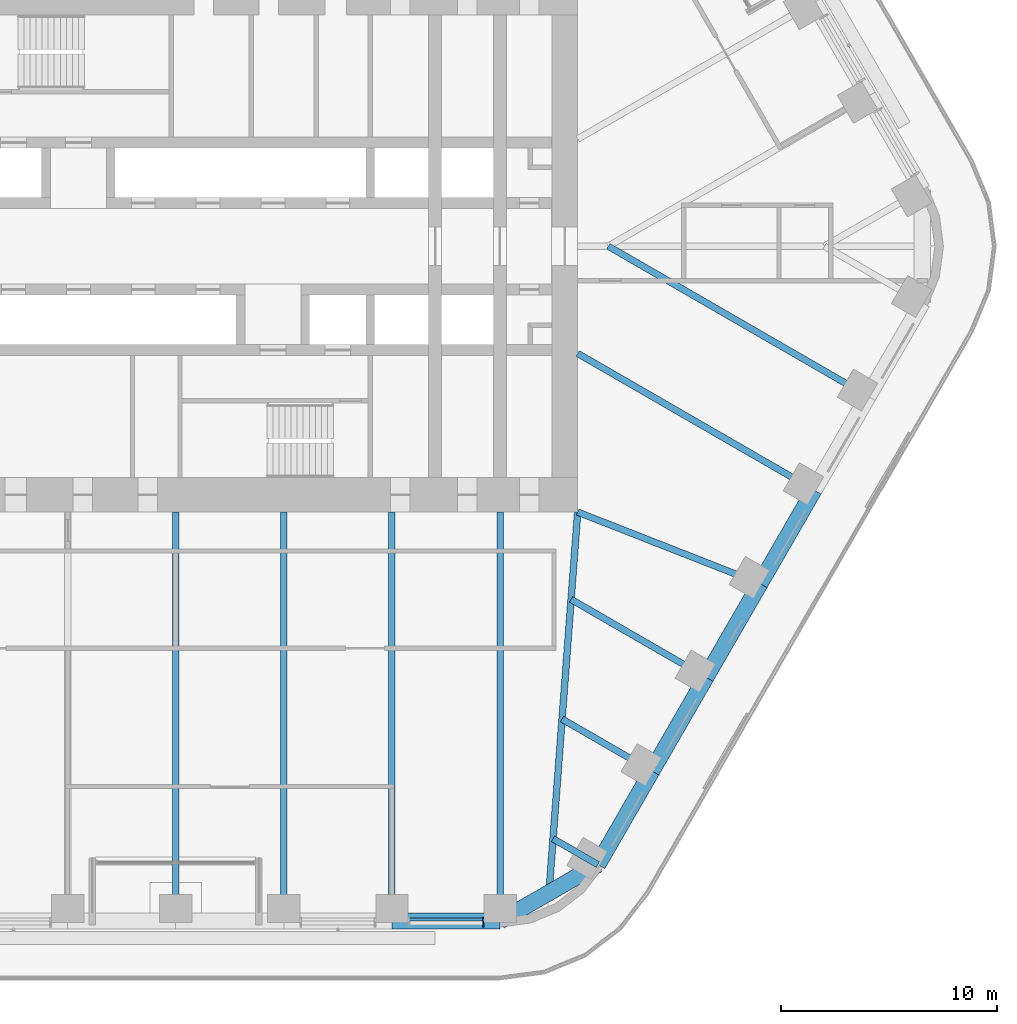
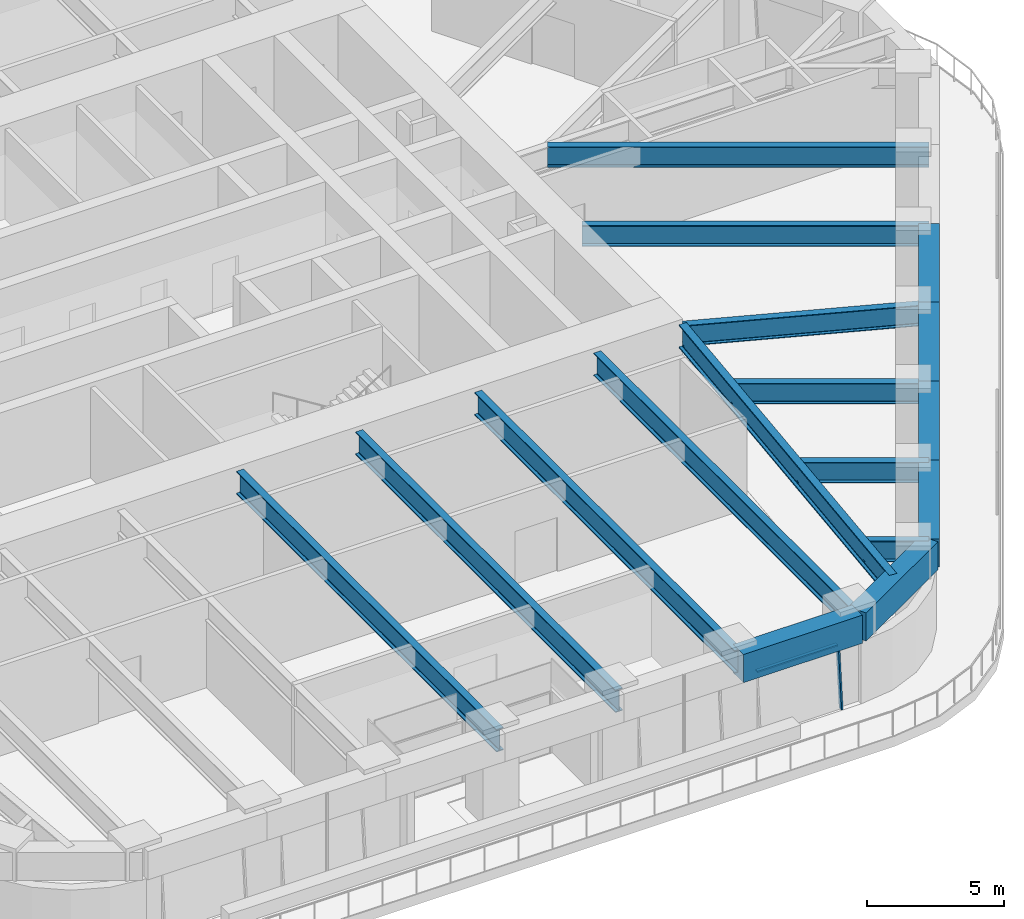
# One storey, part 5 of 24: 17 beams, 2 members, 1 element without a shape of its own.
"""IFC4 building model written with IfcOpenShell, lengths in metres."""

from ifc_helpers import new_model, si_unit, direction, frame, origin, origin_2d, place, context, subcontext, project, spatial, rectangle, i_section, extrude, material, material_profile, profile_set, type_object, element, aggregate, save


model = new_model("IFC4")

# Units and contexts
model_context = context("Model", 3, precision=1e-05, world=origin(), true_north=direction((0.0, 1.0)))
body_context = subcontext(model_context, "Body", "Model", "MODEL_VIEW")
ifc_project = project(units=[si_unit("LENGTHUNIT", "METRE"), si_unit("AREAUNIT", "SQUARE_METRE"), si_unit("VOLUMEUNIT", "CUBIC_METRE"), si_unit("PLANEANGLEUNIT", "RADIAN"), si_unit("MASSUNIT", "GRAM", prefix="KILO")], contexts=[model_context])

# Site, building, storey
site_placement = place(None, origin())
site = spatial("IfcSite", under=ifc_project, at=site_placement, CompositionType="ELEMENT")
building_placement = place(site_placement, origin())
building = spatial("IfcBuilding", under=site, at=building_placement, Name="Tarfa Lantern Tower", CompositionType="ELEMENT")
storey_placement = place(building_placement, frame((0.0, 0.0, 182.5)))
storey = spatial("IfcBuildingStorey", under=building, at=storey_placement, Name="L41", CompositionType="ELEMENT", Elevation=182.5)

# Curtain wall, members
ifc_material_1 = material(Name="Aluminium framed curtain wall", Category="aluminium")
curtain_wall_type = type_object("IfcCurtainWallType", Name="CW2 CANTED GLAZING MID ZONE 2750", PredefinedType="USERDEFINED", material=ifc_material_1)
curtain_wall_placement = place(storey_placement, origin())
curtain_wall = element("IfcCurtainWall", 1, at=curtain_wall_placement, inside=storey, type_object=curtain_wall_type, Name="CW2 SB L41", ObjectType="CURTAIN WALL", PredefinedType="USERDEFINED")
ifc_material_2 = material(Name="Aluminium mullion", Category="aluminium")
ifc_material_profile_1 = material_profile(ifc_material_2, rectangle(XDim=0.06494140625, YDim=0.199951171875, at=origin_2d()), Name="AL MULLION 65x200")
ifc_profile_set_1 = profile_set([ifc_material_profile_1], Name="Aluminium mullion")
member_type_1 = type_object("IfcMemberType", Name="CWM1 MULLION 65x200", PredefinedType="MULLION", material=ifc_profile_set_1)
member_1_placement = place(storey_placement, frame((14.228515625, -31.39990234375, 0.0), z_axis=(0.0, 0.090535746043, 0.995893206468), x_axis=(-1.0, 0.0, 0.0)))
member_1 = element("IfcMember", 2, at=member_1_placement, type_object=member_type_1, Name="CW2 mullion 2", PredefinedType="MULLION", context=body_context, shape_type="SweptSolid", body=[
    extrude(rectangle(XDim=0.06494140625, YDim=0.199951171875, at=origin_2d()), origin(), (0.0, 0.0, 1.0), 2.76123046875),
])
ifc_material_3 = material(Name="Aluminium transom", Category="aluminium")
ifc_material_profile_2 = material_profile(ifc_material_3, rectangle(XDim=0.14990234375, YDim=0.06494140625, at=origin_2d()), Name="AL TRANSOM 150x65")
ifc_profile_set_2 = profile_set([ifc_material_profile_2], Name="Aluminium transom")
member_type_2 = type_object("IfcMemberType", Name="CWT1 TRANSOM 150x65", PredefinedType="USERDEFINED", material=ifc_profile_set_2)
member_2_placement = place(storey_placement, frame((10.822509765625, -31.153076171875, 2.717529296875), z_axis=(1.0, 0.0, 0.0), x_axis=(0.0, 1.0, 0.0)))
member_2 = element("IfcMember", 3, at=member_2_placement, type_object=member_type_2, Name="CW2 transom 1.2", ObjectType="TRANSOM", PredefinedType="USERDEFINED", context=body_context, shape_type="SweptSolid", body=[
    extrude(rectangle(XDim=0.14990234375, YDim=0.06494140625, at=origin_2d()), origin(), (0.0, 0.0, 1.0), 3.37353515625),
])
aggregate(curtain_wall, [member_1, member_2])

# Beams
ifc_material_4 = material(Name="Concrete C80/95", Category="concrete")
ifc_material_profile_3 = material_profile(ifc_material_4, rectangle(XDim=0.75, YDim=1.25, at=origin_2d()), Name="RC 750x1250")
ifc_profile_set_3 = profile_set([ifc_material_profile_3], Name="Concrete C80/95")
beam_type_1 = type_object("IfcBeamType", Name="EB2 RC 750x1250", PredefinedType="SPANDREL", material=ifc_profile_set_3)
beam_1_placement = place(storey_placement, frame((10.00732421875, -31.219970703125, 3.375), z_axis=(1.0, 0.0, 0.0), x_axis=(0.0, 1.0, 0.0)))
element("IfcBeam", 4, at=beam_1_placement, inside=storey, type_object=beam_type_1, Name="Edge beam S5", PredefinedType="SPANDREL", context=body_context, shape_type="SweptSolid", body=[
    extrude(rectangle(XDim=0.75, YDim=1.25, at=origin_2d()), origin(), (0.0, 0.0, 1.0), 5.003662109375),
])
beam_2_placement = place(storey_placement, frame((15.010986328125, -31.219970703125, 3.375), z_axis=(0.86604150238, 0.499972115377, 0.0), x_axis=(-0.499972115377, 0.86604150238, 0.0)))
element("IfcBeam", 5, at=beam_2_placement, inside=storey, type_object=beam_type_1, Name="Edge beam S6", PredefinedType="SPANDREL", context=body_context, shape_type="SweptSolid", body=[
    extrude(rectangle(XDim=0.75, YDim=1.25, at=origin_2d()), origin(), (0.0, 0.0, 1.0), 5.219970703125),
])
beam_3_placement = place(storey_placement, frame((19.53173828125, -28.610107421875, 3.375), z_axis=(0.500001197378, 0.866024712477, 0.0), x_axis=(-0.866024712477, 0.500001197378, 0.0)))
element("IfcBeam", 6, at=beam_3_placement, inside=storey, type_object=beam_type_1, Name="Edge beam SE0", PredefinedType="SPANDREL", context=body_context, shape_type="SweptSolid", body=[
    extrude(rectangle(XDim=0.75, YDim=1.25, at=origin_2d()), origin(), (0.0, 0.0, 1.0), 5.00390625),
])
for number, where, z_axis, x_axis, name in (
    (7, (22.03369140625, -24.276611328125, 3.375), (0.49998573051, 0.866033642122, 0.0), (-0.866033642122, 0.49998573051, 0.0), "Edge beam SE1"),
    (8, (24.535400390625, -19.943359375, 3.375), (0.500022324899, 0.866012514114, 0.0), (-0.866012514114, 0.500022324899, 0.0), "Edge beam SE2"),
    (9, (27.037353515625, -15.610107421875, 3.375), (0.499964603504, 0.866045838996, 0.0), (-0.866045838996, 0.499964603504, 0.0), "Edge beam SE3"),
):
    element("IfcBeam", number, at=place(storey_placement, frame(where, z_axis=z_axis, x_axis=x_axis)), inside=storey, type_object=beam_type_1, Name=name, PredefinedType="SPANDREL", context=body_context, shape_type="SweptSolid", body=[
        extrude(rectangle(XDim=0.75, YDim=1.25, at=origin_2d()), origin(), (0.0, 0.0, 1.0), 5.003662109375),
    ])
ifc_material_5 = material(Name="Steel S460M", Category="steel")
ifc_material_profile_4 = material_profile(ifc_material_5, i_section(OverallWidth=0.302001953125, OverallDepth=1.008056640625, WebThickness=0.02099609375, FlangeThickness=0.0400390625, FilletRadius=0.030029296875, at=origin_2d()), Name="UB1016x305x349")
ifc_profile_set_4 = profile_set([ifc_material_profile_4], Name="Steel S460M")
beam_type_2 = type_object("IfcBeamType", Name="UB1016x305x349", PredefinedType="BEAM", material=ifc_profile_set_4)
for number, where, z_axis, x_axis, name in (
    (10, (0.0, -31.219970703125, 3.495849609375), (0.0, 1.0, 0.0), (-1.0, 0.0, 0.0), "Floor beam S3"),
    (11, (5.003662109375, -31.219970703125, 3.495849609375), (0.0, 1.0, 0.0), (-1.0, 0.0, 0.0), "Floor beam S4"),
    (12, (10.00732421875, -31.219970703125, 3.495849609375), (0.0, 1.0, 0.0), (-1.0, 0.0, 0.0), "Floor beam S5"),
    (13, (15.010986328125, -31.219970703125, 3.495849609375), (0.0, 1.0, 0.0), (-1.0, 0.0, 0.0), "Floor beam S6"),
):
    element("IfcBeam", number, at=place(storey_placement, frame(where, z_axis=z_axis, x_axis=x_axis)), inside=storey, type_object=beam_type_2, Name=name, PredefinedType="BEAM", context=body_context, shape_type="SweptSolid", body=[
        extrude(i_section(OverallWidth=0.302001953125, OverallDepth=1.008056640625, WebThickness=0.02099609375, FlangeThickness=0.0400390625, FilletRadius=0.030029296875, at=origin_2d()), origin(), (0.0, 0.0, 1.0), 18.919921875),
    ])
ifc_material_profile_5 = material_profile(ifc_material_5, i_section(OverallWidth=0.30859375, OverallDepth=1.036376953125, WebThickness=0.030029296875, FlangeThickness=0.05419921875, FilletRadius=0.030029296875, at=origin_2d()), Name="UB1016x305x487")
ifc_profile_set_5 = profile_set([ifc_material_profile_5], Name="Steel S460M")
beam_type_3 = type_object("IfcBeamType", Name="UB1016x305x487", PredefinedType="BEAM", material=ifc_profile_set_5)
beam_4_placement = place(storey_placement, frame((18.60009765625, -12.300048828125, 3.48193359375), z_axis=(-0.075211516041, -0.99716760269, 0.0), x_axis=(0.99716760269, -0.075211516041, 0.0)))
element("IfcBeam", 14, at=beam_4_placement, inside=storey, type_object=beam_type_3, Name="Hip girder SE", PredefinedType="BEAM", context=body_context, shape_type="SweptSolid", body=[
    extrude(i_section(OverallWidth=0.30859375, OverallDepth=1.036376953125, WebThickness=0.030029296875, FlangeThickness=0.05419921875, FilletRadius=0.030029296875, at=origin_2d()), origin(), (0.0, 0.0, 1.0), 17.6650390625),
])
ifc_material_profile_6 = material_profile(ifc_material_5, i_section(OverallWidth=0.305419921875, OverallDepth=0.91845703125, WebThickness=0.017333984375, FlangeThickness=0.02783203125, FilletRadius=0.01904296875, at=origin_2d()), Name="UB914x305x253")
ifc_profile_set_6 = profile_set([ifc_material_profile_6], Name="Steel S460M")
beam_type_4 = type_object("IfcBeamType", Name="UB914x305x253", PredefinedType="BEAM", material=ifc_profile_set_6)
beam_5_placement = place(storey_placement, frame((19.53173828125, -28.610107421875, 3.540771484375), z_axis=(-0.865998640954, 0.500046351717, 0.0), x_axis=(-0.500046351717, -0.865998640954, 0.0)))
element("IfcBeam", 15, at=beam_5_placement, inside=storey, type_object=beam_type_4, Name="Floor beam SE0", PredefinedType="BEAM", context=body_context, shape_type="SweptSolid", body=[
    extrude(i_section(OverallWidth=0.305419921875, OverallDepth=0.91845703125, WebThickness=0.017333984375, FlangeThickness=0.02783203125, FilletRadius=0.01904296875, at=origin_2d()), origin(), (0.0, 0.0, 1.0), 2.392333984375),
])
beam_6_placement = place(storey_placement, frame((22.03369140625, -24.276611328125, 3.540771484375), z_axis=(-0.866030550462, 0.499991085587, 0.0), x_axis=(-0.499991085587, -0.866030550462, 0.0)))
element("IfcBeam", 16, at=beam_6_placement, inside=storey, type_object=beam_type_4, Name="Floor beam SE1", PredefinedType="BEAM", context=body_context, shape_type="SweptSolid", body=[
    extrude(i_section(OverallWidth=0.305419921875, OverallDepth=0.91845703125, WebThickness=0.017333984375, FlangeThickness=0.02783203125, FilletRadius=0.01904296875, at=origin_2d()), origin(), (0.0, 0.0, 1.0), 4.798828125),
])
beam_7_placement = place(storey_placement, frame((24.535400390625, -19.943359375, 3.540771484375), z_axis=(-0.86602647304, 0.499998147991, 0.0), x_axis=(-0.499998147991, -0.86602647304, 0.0)))
element("IfcBeam", 17, at=beam_7_placement, inside=storey, type_object=beam_type_4, Name="Floor beam SE2", PredefinedType="BEAM", context=body_context, shape_type="SweptSolid", body=[
    extrude(i_section(OverallWidth=0.305419921875, OverallDepth=0.91845703125, WebThickness=0.017333984375, FlangeThickness=0.02783203125, FilletRadius=0.01904296875, at=origin_2d()), origin(), (0.0, 0.0, 1.0), 7.20556640625),
])
beam_8_placement = place(storey_placement, frame((27.037353515625, -15.610107421875, 3.540771484375), z_axis=(-0.930923282782, 0.365214788274, 0.0), x_axis=(-0.365214788274, -0.930923282782, 0.0)))
element("IfcBeam", 18, at=beam_8_placement, inside=storey, type_object=beam_type_4, Name="Floor beam SE3", PredefinedType="BEAM", context=body_context, shape_type="SweptSolid", body=[
    extrude(i_section(OverallWidth=0.305419921875, OverallDepth=0.91845703125, WebThickness=0.017333984375, FlangeThickness=0.02783203125, FilletRadius=0.01904296875, at=origin_2d()), origin(), (0.0, 0.0, 1.0), 9.063232421875),
])
beam_9_placement = place(storey_placement, frame((29.5390625, -11.276611328125, 3.540771484375), z_axis=(-0.866023362995, 0.500003534735, 0.0), x_axis=(-0.500003534735, -0.866023362995, 0.0)))
element("IfcBeam", 19, at=beam_9_placement, inside=storey, type_object=beam_type_4, Name="Floor beam SE4", PredefinedType="BEAM", context=body_context, shape_type="SweptSolid", body=[
    extrude(i_section(OverallWidth=0.305419921875, OverallDepth=0.91845703125, WebThickness=0.017333984375, FlangeThickness=0.02783203125, FilletRadius=0.01904296875, at=origin_2d()), origin(), (0.0, 0.0, 1.0), 12.63134765625),
])
beam_10_placement = place(storey_placement, frame((32.041015625, -6.943359375, 3.540771484375), z_axis=(-0.866023096411, 0.500003996466, 0.0), x_axis=(-0.500003996466, -0.866023096411, 0.0)))
element("IfcBeam", 20, at=beam_10_placement, inside=storey, type_object=beam_type_4, Name="Floor beam SE5", PredefinedType="BEAM", context=body_context, shape_type="SweptSolid", body=[
    extrude(i_section(OverallWidth=0.305419921875, OverallDepth=0.91845703125, WebThickness=0.017333984375, FlangeThickness=0.02783203125, FilletRadius=0.01904296875, at=origin_2d()), origin(), (0.0, 0.0, 1.0), 13.88671875),
])

save(model, "model.ifc")
